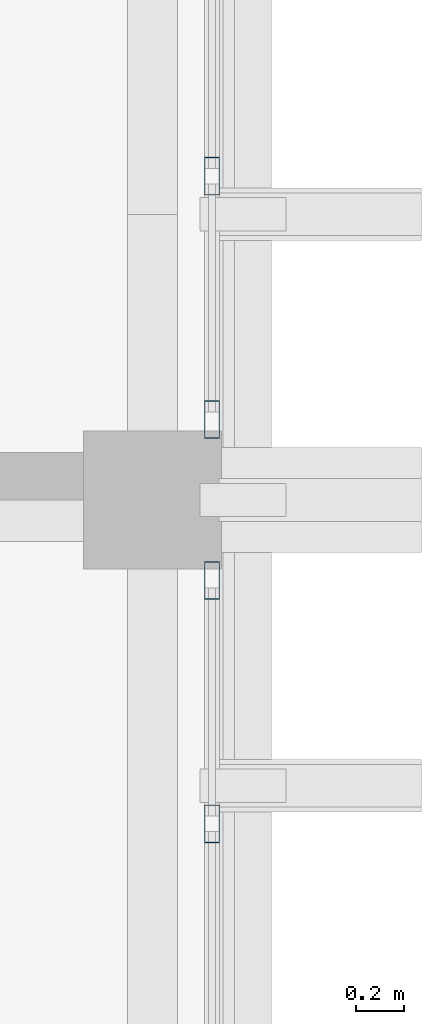
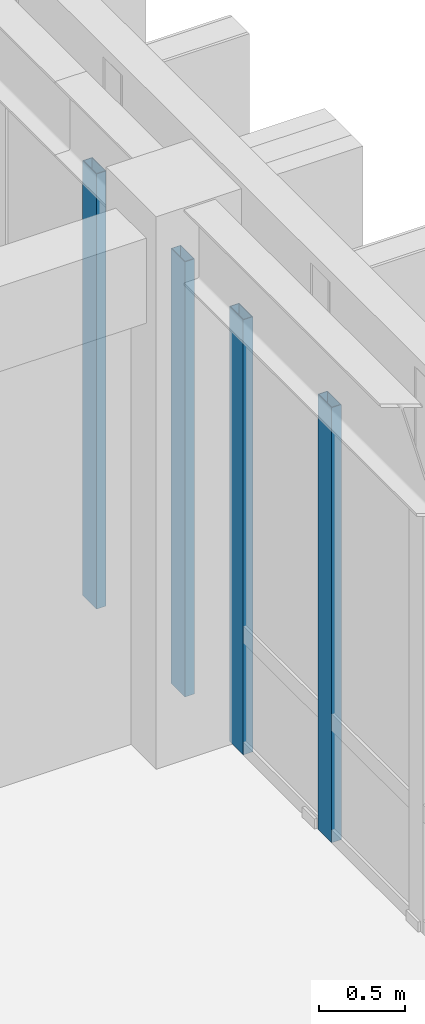
# One storey, part 32 of 49: 4 members, 2 elements without a shape of their own.
"""IFC4 building model written with IfcOpenShell, lengths in metres."""

from ifc_helpers import new_model, si_unit, direction, frame, origin, origin_2d, place, context, subcontext, project, spatial, hollow_rectangle, extrude, material, layer, layer_set, material_profile, profile_set, type_object, element, aggregate, save


model = new_model("IFC4")

# Units and contexts
model_context = context("Model", 3, precision=1e-05, world=origin(), true_north=direction((0.0, 1.0)))
body_context = subcontext(model_context, "Body", "Model", "MODEL_VIEW")
ifc_project = project(units=[si_unit("LENGTHUNIT", "METRE"), si_unit("AREAUNIT", "SQUARE_METRE"), si_unit("VOLUMEUNIT", "CUBIC_METRE"), si_unit("PLANEANGLEUNIT", "RADIAN"), si_unit("MASSUNIT", "GRAM", prefix="KILO")], contexts=[model_context])

# Site, building, storey
site_placement = place(None, origin())
site = spatial("IfcSite", under=ifc_project, at=site_placement, CompositionType="ELEMENT")
building_placement = place(site_placement, origin())
building = spatial("IfcBuilding", under=site, at=building_placement, Name="Nakhvara Creek Congress Hotel", CompositionType="ELEMENT")
storey_placement = place(building_placement, frame((0.0, 0.0, 46.5)))
storey = spatial("IfcBuildingStorey", under=building, at=storey_placement, Name="L11", CompositionType="ELEMENT", Elevation=46.5)

# Curtain wall, members
ifc_material_1 = material(Name="Bronze-anodised aluminium AW-6063-T6 and double-silver low-E glass", Category="aluminium")
ifc_layer = layer(ifc_material_1, 0.199951171875)
ifc_layer_set = layer_set([ifc_layer], Name="Bronze-anodised aluminium AW-6063-T6 and double-silver low-E glass")
curtain_wall_type = type_object("IfcCurtainWallType", Name="CW-HTL-UNIT", PredefinedType="USERDEFINED", material=ifc_layer_set)
curtain_wall_1_placement = place(storey_placement, origin())
curtain_wall_1 = element("IfcCurtainWall", 1, at=curtain_wall_1_placement, inside=storey, type_object=curtain_wall_type, Name="Curtain Wall CW344", ObjectType="UNITISED", PredefinedType="USERDEFINED")
ifc_material_2 = material(Name="Bronze-anodised aluminium AW-6063-T6", Category="aluminium")
ifc_material_profile = material_profile(ifc_material_2, hollow_rectangle(XDim=0.06494140625, YDim=0.159912109375, WallThickness=0.00390625, at=origin_2d()), Name="ALU-MULL 65x160x4", Category="LoadBearing")
ifc_profile_set = profile_set([ifc_material_profile], Name="Bronze-anodised aluminium AW-6063-T6")
member_type = type_object("IfcMemberType", Name="CW-MULL-160", PredefinedType="MULLION", material=ifc_profile_set)
member_1_placement = place(storey_placement, frame((179.60009765625, 114.862548828125, 0.0), z_axis=(0.0, 0.0, 1.0), x_axis=(1.0, 0.0, 0.0)))
member_1 = element("IfcMember", 2, at=member_1_placement, type_object=member_type, Name="CW344 mullion 1", PredefinedType="MULLION", context=body_context, shape_type="SweptSolid", body=[
    extrude(hollow_rectangle(XDim=0.06494140625, YDim=0.159912109375, WallThickness=0.00390625, at=origin_2d()), origin(), (0.0, 0.0, 1.0), 3.072021484375),
])
member_2_placement = place(storey_placement, frame((179.60009765625, 113.840087890625, 0.0), z_axis=(0.0, 0.0, 1.0), x_axis=(1.0, 0.0, 0.0)))
member_2 = element("IfcMember", 3, at=member_2_placement, type_object=member_type, Name="CW344 mullion 2", PredefinedType="MULLION", context=body_context, shape_type="SweptSolid", body=[
    extrude(hollow_rectangle(XDim=0.06494140625, YDim=0.159912109375, WallThickness=0.00390625, at=origin_2d()), origin(), (0.0, 0.0, 1.0), 3.072021484375),
])
aggregate(curtain_wall_1, [member_1, member_2])

curtain_wall_2_placement = place(storey_placement, origin())
curtain_wall_2 = element("IfcCurtainWall", 4, at=curtain_wall_2_placement, inside=storey, type_object=curtain_wall_type, Name="Curtain Wall CW346", ObjectType="UNITISED", PredefinedType="USERDEFINED")
member_3_placement = place(storey_placement, frame((179.60009765625, 116.56005859375, 0.0), z_axis=(0.0, 0.0, 1.0), x_axis=(1.0, 0.0, 0.0)))
member_3 = element("IfcMember", 5, at=member_3_placement, type_object=member_type, Name="CW346 mullion 4", PredefinedType="MULLION", context=body_context, shape_type="SweptSolid", body=[
    extrude(hollow_rectangle(XDim=0.06494140625, YDim=0.159912109375, WallThickness=0.00390625, at=origin_2d()), origin(), (0.0, 0.0, 1.0), 3.072021484375),
])
member_4_placement = place(storey_placement, frame((179.60009765625, 115.53759765625, 0.0), z_axis=(0.0, 0.0, 1.0), x_axis=(1.0, 0.0, 0.0)))
member_4 = element("IfcMember", 6, at=member_4_placement, type_object=member_type, Name="CW346 mullion 5", PredefinedType="MULLION", context=body_context, shape_type="SweptSolid", body=[
    extrude(hollow_rectangle(XDim=0.06494140625, YDim=0.159912109375, WallThickness=0.00390625, at=origin_2d()), origin(), (0.0, 0.0, 1.0), 3.072021484375),
])
aggregate(curtain_wall_2, [member_3, member_4])

save(model, "model.ifc")
